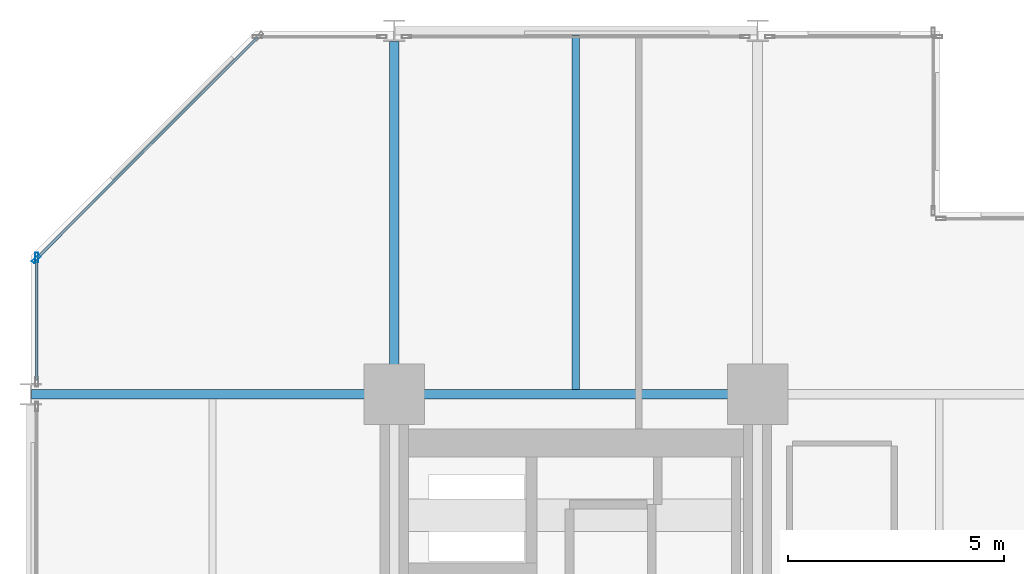
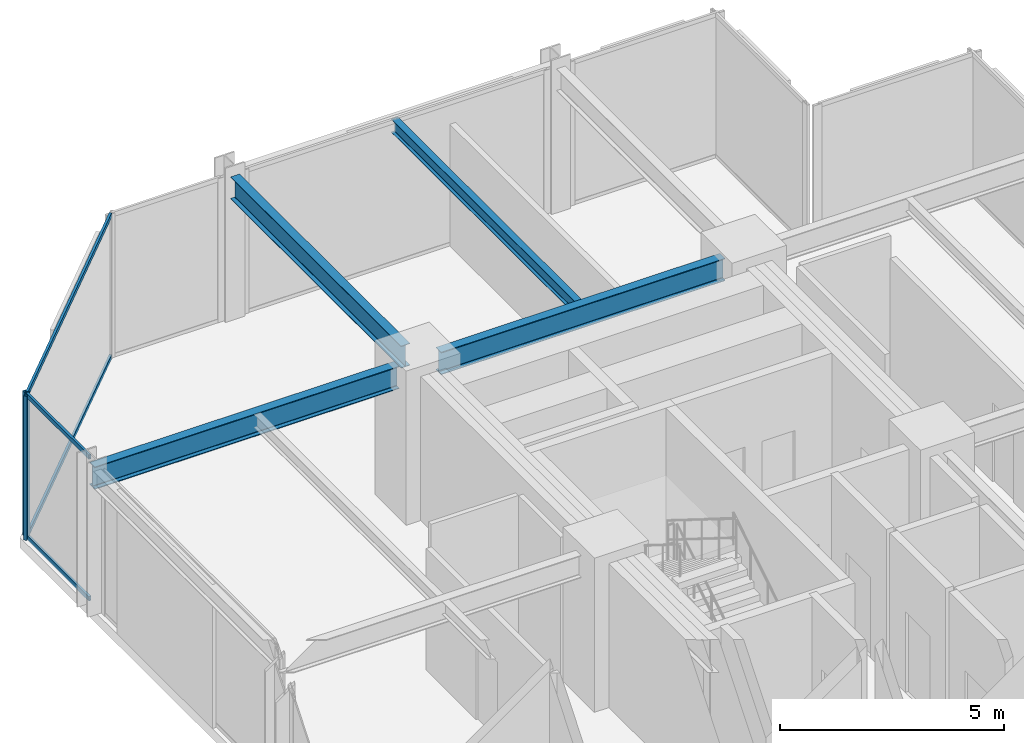
# One storey, part 15 of 24: 6 members, 4 beams, 2 elements without a shape of their own.
"""IFC4 building model written with IfcOpenShell, lengths in metres."""

from ifc_helpers import new_model, si_unit, direction, frame, origin, origin_2d, place, context, subcontext, project, spatial, hollow_rectangle, i_section, extrude, material, layer, layer_set, material_profile, profile_set, type_object, element, aggregate, save


model = new_model("IFC4")

# Units and contexts
model_context = context("Model", 3, precision=1e-05, world=origin(), true_north=direction((0.0, 1.0)))
body_context = subcontext(model_context, "Body", "Model", "MODEL_VIEW")
ifc_project = project(units=[si_unit("LENGTHUNIT", "METRE"), si_unit("AREAUNIT", "SQUARE_METRE"), si_unit("VOLUMEUNIT", "CUBIC_METRE"), si_unit("PLANEANGLEUNIT", "RADIAN"), si_unit("MASSUNIT", "GRAM", prefix="KILO")], contexts=[model_context])

# Site, building, storey
site_placement = place(None, origin())
site = spatial("IfcSite", under=ifc_project, at=site_placement, CompositionType="ELEMENT")
building_placement = place(site_placement, origin())
building = spatial("IfcBuilding", under=site, at=building_placement, Name="Nerrivon Quay Data Exchange", CompositionType="ELEMENT")
storey_placement = place(building_placement, frame((0.0, 0.0, 50.0)))
storey = spatial("IfcBuildingStorey", under=building, at=storey_placement, Name="L11", CompositionType="ELEMENT", Elevation=50.0)

# Beams
ifc_material_1 = material(Name="Steel Grade 350", Category="steel")
ifc_material_profile_1 = material_profile(ifc_material_1, i_section(OverallWidth=0.22900390625, OverallDepth=0.612060546875, WebThickness=0.011962890625, FlangeThickness=0.01953125, FilletRadius=0.013916015625, at=origin_2d()), Name="610UB125")
ifc_profile_set_1 = profile_set([ifc_material_profile_1], Name="Steel Grade 350")
beam_type_1 = type_object("IfcBeamType", Name="BM-G1-610UB125", PredefinedType="BEAM", material=ifc_profile_set_1)
beam_1_placement = place(storey_placement, frame((0.013916015625, 42.0, 3.618896484375), z_axis=(1.0, 0.0, 0.0), x_axis=(0.0, 1.0, 0.0)))
element("IfcBeam", 1, at=beam_1_placement, inside=storey, type_object=beam_type_1, Name="L11 EW Girder Y=42.0 (0.0..8.4)", PredefinedType="BEAM", context=body_context, shape_type="SweptSolid", body=[
    extrude(i_section(OverallWidth=0.22900390625, OverallDepth=0.612060546875, WebThickness=0.011962890625, FlangeThickness=0.01953125, FilletRadius=0.013916015625, at=origin_2d()), origin(), (0.0, 0.0, 1.0), 7.84619140625),
])
beam_2_placement = place(storey_placement, frame((8.93994140625, 42.0, 3.618896484375), z_axis=(1.0, 0.0, 0.0), x_axis=(0.0, 1.0, 0.0)))
element("IfcBeam", 2, at=beam_2_placement, inside=storey, type_object=beam_type_1, Name="L11 EW Girder Y=42.0 (8.4..16.8)", PredefinedType="BEAM", context=body_context, shape_type="SweptSolid", body=[
    extrude(i_section(OverallWidth=0.22900390625, OverallDepth=0.612060546875, WebThickness=0.011962890625, FlangeThickness=0.01953125, FilletRadius=0.013916015625, at=origin_2d()), origin(), (0.0, 0.0, 1.0), 7.320068359375),
])
ifc_material_profile_2 = material_profile(ifc_material_1, i_section(OverallWidth=0.22802734375, OverallDepth=0.60205078125, WebThickness=0.010498046875, FlangeThickness=0.014892578125, FilletRadius=0.013916015625, at=origin_2d()), Name="610UB101")
ifc_profile_set_2 = profile_set([ifc_material_profile_2], Name="Steel Grade 350")
beam_type_2 = type_object("IfcBeamType", Name="BM-G2-610UB101", PredefinedType="BEAM", material=ifc_profile_set_2)
beam_3_placement = place(storey_placement, frame((8.39990234375, 42.5400390625, 3.6240234375), z_axis=(0.0, 1.0, 0.0), x_axis=(-1.0, 0.0, 0.0)))
element("IfcBeam", 3, at=beam_3_placement, inside=storey, type_object=beam_type_2, Name="L11 NS Girder X=8.4 (42.0..50.4)", PredefinedType="BEAM", context=body_context, shape_type="SweptSolid", body=[
    extrude(i_section(OverallWidth=0.22802734375, OverallDepth=0.60205078125, WebThickness=0.010498046875, FlangeThickness=0.014892578125, FilletRadius=0.013916015625, at=origin_2d()), origin(), (0.0, 0.0, 1.0), 7.60986328125),
])
ifc_material_profile_3 = material_profile(ifc_material_1, i_section(OverallWidth=0.172119140625, OverallDepth=0.35888671875, WebThickness=0.008056640625, FlangeThickness=0.012939453125, FilletRadius=0.011474609375, at=origin_2d()), Name="360UB56.7")
ifc_profile_set_3 = profile_set([ifc_material_profile_3], Name="Steel Grade 350")
beam_type_3 = type_object("IfcBeamType", Name="BM-J3-360UB57", PredefinedType="JOIST", material=ifc_profile_set_3)
beam_4_placement = place(storey_placement, frame((12.60009765625, 42.114501953125, 3.74560546875), z_axis=(0.0, 1.0, 0.0), x_axis=(-1.0, 0.0, 0.0)))
element("IfcBeam", 4, at=beam_4_placement, inside=storey, type_object=beam_type_3, Name="L11 Secondary Joist X=12.6 (42.0..50.4)", PredefinedType="JOIST", context=body_context, shape_type="SweptSolid", body=[
    extrude(i_section(OverallWidth=0.172119140625, OverallDepth=0.35888671875, WebThickness=0.008056640625, FlangeThickness=0.012939453125, FilletRadius=0.011474609375, at=origin_2d()), origin(), (0.0, 0.0, 1.0), 8.1904296875),
])

# Curtain wall, member
ifc_material_2 = material(Name="Anodised aluminium 6063-T6", Category="aluminium")
ifc_layer = layer(ifc_material_2, 0.219970703125)
ifc_layer_set = layer_set([ifc_layer], Name="Anodised aluminium 6063-T6")
curtain_wall_type = type_object("IfcCurtainWallType", Name="CW-SYS-01", PredefinedType="NOTDEFINED", material=ifc_layer_set)
curtain_wall_1_placement = place(storey_placement, origin())
curtain_wall_1 = element("IfcCurtainWall", 5, at=curtain_wall_1_placement, inside=storey, type_object=curtain_wall_type, Name="L11 Unitised Curtain Wall 18", PredefinedType="NOTDEFINED")
ifc_material_profile_4 = material_profile(ifc_material_2, hollow_rectangle(XDim=0.074951171875, YDim=0.219970703125, WallThickness=0.00390625, at=origin_2d()), Name="ALU-MULL-220x75")
ifc_profile_set_4 = profile_set([ifc_material_profile_4], Name="Anodised aluminium 6063-T6")
member_type_1 = type_object("IfcMemberType", Name="CWM-220x75", PredefinedType="MULLION", material=ifc_profile_set_4)
member_1_placement = place(storey_placement, frame((0.139892578125, 45.16259765625, 0.0), z_axis=(0.0, 0.0, 1.0), x_axis=(-1.0, 0.0, 0.0)))
member_1 = element("IfcMember", 6, at=member_1_placement, type_object=member_type_1, Name="CW01 mullion 2", PredefinedType="MULLION", context=body_context, shape_type="SweptSolid", body=[
    extrude(hollow_rectangle(XDim=0.074951171875, YDim=0.219970703125, WallThickness=0.00390625, at=origin_2d()), origin(), (0.0, 0.0, 1.0), 3.925048828125),
])

curtain_wall_2_placement = place(storey_placement, origin())
curtain_wall_2 = element("IfcCurtainWall", 7, at=curtain_wall_2_placement, inside=storey, type_object=curtain_wall_type, Name="L11 Unitised Curtain Wall 19", PredefinedType="NOTDEFINED")
member_2_placement = place(storey_placement, frame((0.12548828125, 45.12744140625, 0.0), z_axis=(0.0, 0.0, 1.0), x_axis=(-0.707106781187, 0.707106781187, 0.0)))
member_2 = element("IfcMember", 8, at=member_2_placement, type_object=member_type_1, Name="CW01 mullion 1", PredefinedType="MULLION", context=body_context, shape_type="SweptSolid", body=[
    extrude(hollow_rectangle(XDim=0.074951171875, YDim=0.219970703125, WallThickness=0.00390625, at=origin_2d()), origin(), (0.0, 0.0, 1.0), 3.925048828125),
])

# Member
ifc_material_profile_5 = material_profile(ifc_material_2, hollow_rectangle(XDim=0.06005859375, YDim=0.1201171875, WallThickness=0.003173828125, at=origin_2d()), Name="ALU-TRAN-120x60")
ifc_profile_set_5 = profile_set([ifc_material_profile_5], Name="Anodised aluminium 6063-T6")
member_type_2 = type_object("IfcMemberType", Name="CWT-120x60", PredefinedType="USERDEFINED", material=ifc_profile_set_5)
member_3_placement = place(storey_placement, frame((0.139892578125, 42.324951171875, 0.032470703125), z_axis=(0.0, 1.0, 0.0), x_axis=(-1.0, 0.0, 0.0)))
member_3 = element("IfcMember", 9, at=member_3_placement, type_object=member_type_2, Name="CW01 transom 1.1", ObjectType="TRANSOM", PredefinedType="USERDEFINED", context=body_context, shape_type="SweptSolid", body=[
    extrude(hollow_rectangle(XDim=0.06005859375, YDim=0.1201171875, WallThickness=0.003173828125, at=origin_2d()), origin(), (0.0, 0.0, 1.0), 2.800048828125),
])

member_4_placement = place(storey_placement, frame((0.139892578125, 42.324951171875, 3.892578125), z_axis=(0.0, 1.0, 0.0), x_axis=(-1.0, 0.0, 0.0)))
member_4 = element("IfcMember", 10, at=member_4_placement, type_object=member_type_2, Name="CW01 transom 1.2", ObjectType="TRANSOM", PredefinedType="USERDEFINED", context=body_context, shape_type="SweptSolid", body=[
    extrude(hollow_rectangle(XDim=0.06005859375, YDim=0.1201171875, WallThickness=0.003173828125, at=origin_2d()), origin(), (0.0, 0.0, 1.0), 2.800048828125),
])

aggregate(curtain_wall_1, [member_1, member_3, member_4])

member_5_placement = place(storey_placement, frame((0.152099609375, 45.154052734375, 0.032470703125), z_axis=(0.707089835771, 0.707123726196, 0.0), x_axis=(-0.707123726196, 0.707089835771, 0.0)))
member_5 = element("IfcMember", 11, at=member_5_placement, type_object=member_type_2, Name="CW01 transom 1.1", ObjectType="TRANSOM", PredefinedType="USERDEFINED", context=body_context, shape_type="SweptSolid", body=[
    extrude(hollow_rectangle(XDim=0.06005859375, YDim=0.1201171875, WallThickness=0.003173828125, at=origin_2d()), origin(), (0.0, 0.0, 1.0), 7.203857421875),
])

member_6_placement = place(storey_placement, frame((0.152099609375, 45.154052734375, 3.892578125), z_axis=(0.707089835771, 0.707123726196, 0.0), x_axis=(-0.707123726196, 0.707089835771, 0.0)))
member_6 = element("IfcMember", 12, at=member_6_placement, type_object=member_type_2, Name="CW01 transom 1.2", ObjectType="TRANSOM", PredefinedType="USERDEFINED", context=body_context, shape_type="SweptSolid", body=[
    extrude(hollow_rectangle(XDim=0.06005859375, YDim=0.1201171875, WallThickness=0.003173828125, at=origin_2d()), origin(), (0.0, 0.0, 1.0), 7.203857421875),
])

aggregate(curtain_wall_2, [member_2, member_5, member_6])

save(model, "model.ifc")
